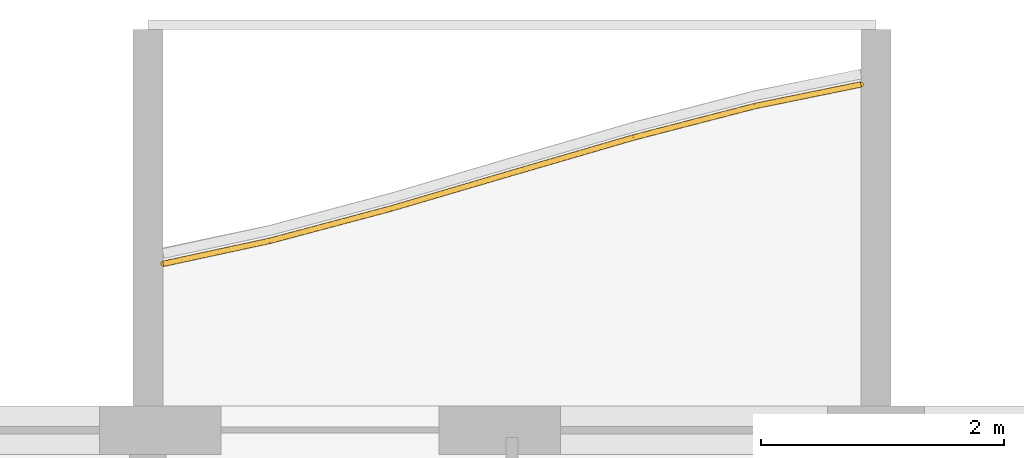
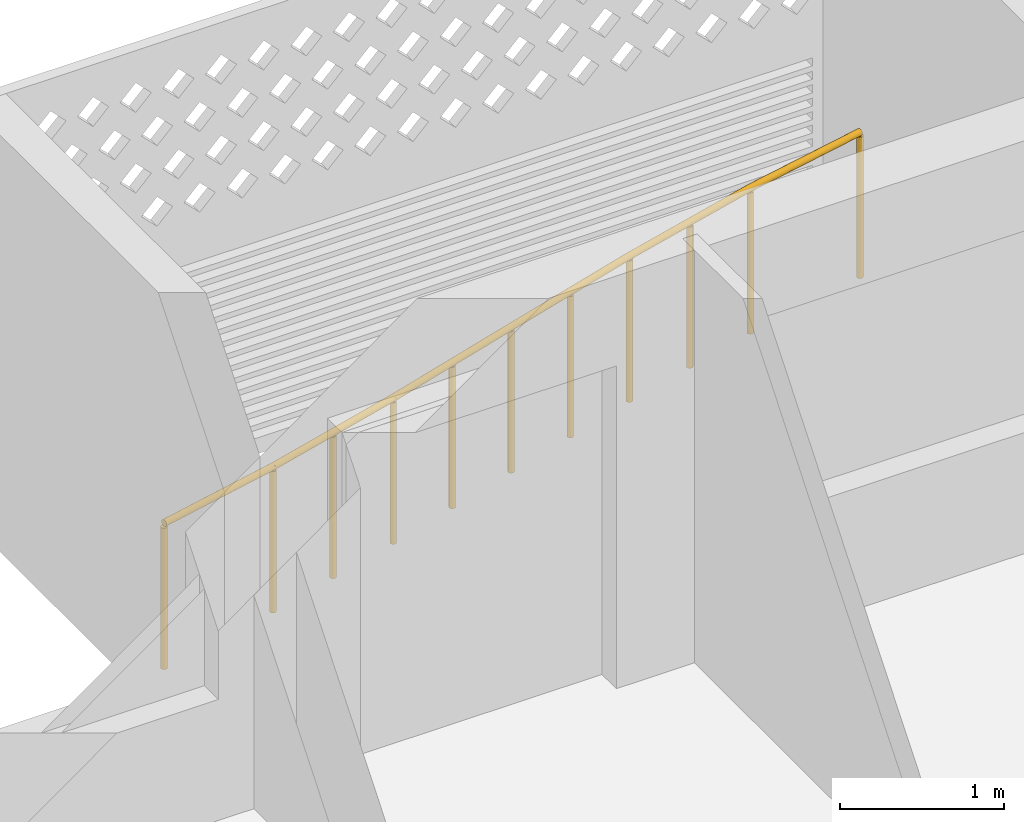
# One storey, part 25 of 32: 1 railing.
"""IFC4 building model written with IfcOpenShell, lengths in metres."""

from ifc_helpers import new_model, si_unit, direction, frame, origin, origin_2d, place, context, subcontext, project, spatial, circle, extrude, material, type_object, element, save


model = new_model("IFC4")

# Units and contexts
model_context = context("Model", 3, precision=1e-05, world=origin(), true_north=direction((0.0, 1.0)))
body_context = subcontext(model_context, "Body", "Model", "MODEL_VIEW")
ifc_project = project(units=[si_unit("LENGTHUNIT", "METRE"), si_unit("AREAUNIT", "SQUARE_METRE"), si_unit("VOLUMEUNIT", "CUBIC_METRE"), si_unit("PLANEANGLEUNIT", "RADIAN"), si_unit("MASSUNIT", "GRAM", prefix="KILO")], contexts=[model_context])

# Site, building, storey
site_placement = place(None, origin())
site = spatial("IfcSite", under=ifc_project, at=site_placement, CompositionType="ELEMENT")
building_placement = place(site_placement, origin())
building = spatial("IfcBuilding", under=site, at=building_placement, Name="Poui Terraces", CompositionType="ELEMENT")
storey_placement = place(building_placement, frame((0.0, 0.0, 129.0)))
storey = spatial("IfcBuildingStorey", under=building, at=storey_placement, Name="L35", CompositionType="ELEMENT", Elevation=129.0)

# Railing
ifc_material = material(Name="Painted steel fretwork", Category="steel")
railing_type = type_object("IfcRailingType", Name="BALCONY GUARD 1100", PredefinedType="GUARDRAIL", material=ifc_material)
railing_placement = place(storey_placement, frame((48.125, 43.770751953125, 0.0)))
element("IfcRailing", 1, at=railing_placement, inside=storey, type_object=railing_type, Name="BALCONY GUARD", PredefinedType="GUARDRAIL", context=body_context, shape_type="SweptSolid", body=[
    extrude(circle(Radius=0.02392578125, at=origin_2d()), frame((0.0, 0.0, 1.076171875), z_axis=(0.977522146276, 0.210832762018, 0.0), x_axis=(-0.210832762018, 0.977522146276, 0.0)), (0.0, 0.0, 1.0), 0.89501953125),
    extrude(circle(Radius=0.02392578125, at=origin_2d()), frame((0.875, 0.188720703125, 1.076171875), z_axis=(0.966367949348, 0.257163345896, 0.0), x_axis=(-0.257163345896, 0.966367949348, 0.0)), (0.0, 0.0, 1.0), 1.034912109375),
    extrude(circle(Radius=0.02392578125, at=origin_2d()), frame((1.875, 0.454833984375, 1.076171875), z_axis=(0.959346851742, 0.282229725671, 0.0), x_axis=(-0.282229725671, 0.959346851742, 0.0)), (0.0, 0.0, 1.0), 1.04248046875),
    extrude(circle(Radius=0.02392578125, at=origin_2d()), frame((2.875, 0.7490234375, 1.076171875), z_axis=(0.960041991036, 0.279855990551, 0.0), x_axis=(-0.279855990551, 0.960041991036, 0.0)), (0.0, 0.0, 1.0), 1.04150390625),
    extrude(circle(Radius=0.02392578125, at=origin_2d()), frame((3.875, 1.04052734375, 1.076171875), z_axis=(0.968050037836, 0.250757102086, 0.0), x_axis=(-0.250757102086, 0.968050037836, 0.0)), (0.0, 0.0, 1.0), 1.032958984375),
    extrude(circle(Radius=0.02392578125, at=origin_2d()), frame((4.875, 1.299560546875, 1.076171875), z_axis=(0.979773441626, 0.200109977475, 0.0), x_axis=(-0.200109977475, 0.979773441626, 0.0)), (0.0, 0.0, 1.0), 0.89306640625),
    extrude(circle(Radius=0.02099609375, at=origin_2d()), origin(), (0.0, 0.0, 1.0), 1.052001953125),
    extrude(circle(Radius=0.02099609375, at=origin_2d()), frame((0.875, 0.188720703125, 0.0)), (0.0, 0.0, 1.0), 1.052001953125),
    extrude(circle(Radius=0.02099609375, at=origin_2d()), frame((1.375, 0.32177734375, 0.0)), (0.0, 0.0, 1.0), 1.052001953125),
    extrude(circle(Radius=0.02099609375, at=origin_2d()), frame((1.875, 0.454833984375, 0.0)), (0.0, 0.0, 1.0), 1.052001953125),
    extrude(circle(Radius=0.02099609375, at=origin_2d()), frame((2.375, 0.60205078125, 0.0)), (0.0, 0.0, 1.0), 1.052001953125),
    extrude(circle(Radius=0.02099609375, at=origin_2d()), frame((2.875, 0.7490234375, 0.0)), (0.0, 0.0, 1.0), 1.052001953125),
    extrude(circle(Radius=0.02099609375, at=origin_2d()), frame((3.375, 0.894775390625, 0.0)), (0.0, 0.0, 1.0), 1.052001953125),
    extrude(circle(Radius=0.02099609375, at=origin_2d()), frame((3.875, 1.04052734375, 0.0)), (0.0, 0.0, 1.0), 1.052001953125),
    extrude(circle(Radius=0.02099609375, at=origin_2d()), frame((4.375, 1.169921875, 0.0)), (0.0, 0.0, 1.0), 1.052001953125),
    extrude(circle(Radius=0.02099609375, at=origin_2d()), frame((4.875, 1.299560546875, 0.0)), (0.0, 0.0, 1.0), 1.052001953125),
    extrude(circle(Radius=0.02099609375, at=origin_2d()), frame((5.75, 1.478271484375, 0.0)), (0.0, 0.0, 1.0), 1.052001953125),
])

save(model, "model.ifc")
